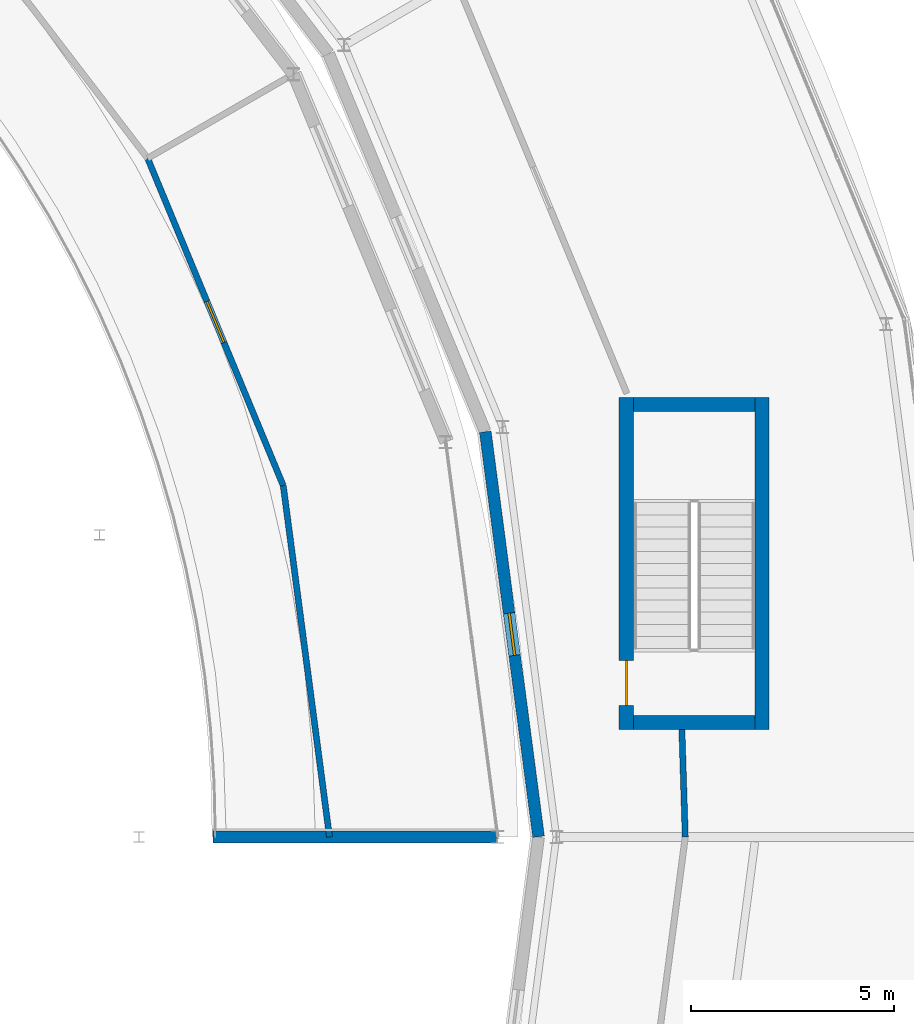
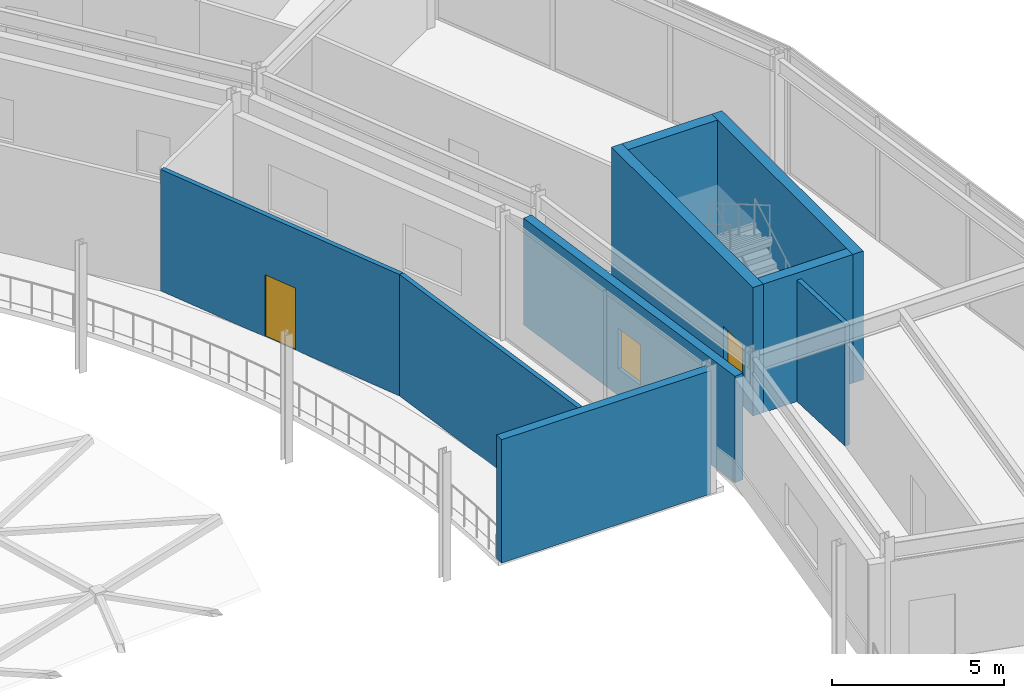
# One storey, part 83 of 116: 9 walls, 2 doors, 1 window, 3 openings.
"""IFC4 building model written with IfcOpenShell, lengths in metres."""

from ifc_helpers import new_model, si_unit, direction, frame, frame_2d, origin, place, context, subcontext, project, spatial, rectangle, extrude, material, layer, layer_set, type_object, element, fill, save


model = new_model("IFC4")

# Units and contexts
model_context = context("Model", 3, precision=1e-05, world=origin(), true_north=direction((0.0, 1.0)))
body_context = subcontext(model_context, "Body", "Model", "MODEL_VIEW")
ifc_project = project(units=[si_unit("LENGTHUNIT", "METRE"), si_unit("AREAUNIT", "SQUARE_METRE"), si_unit("VOLUMEUNIT", "CUBIC_METRE"), si_unit("PLANEANGLEUNIT", "RADIAN"), si_unit("MASSUNIT", "GRAM", prefix="KILO")], contexts=[model_context])

# Site, building, storey
site_placement = place(None, origin())
site = spatial("IfcSite", under=ifc_project, at=site_placement, CompositionType="ELEMENT")
building_placement = place(site_placement, origin())
building = spatial("IfcBuilding", under=site, at=building_placement, Name="Almandine Court Research Institute", CompositionType="ELEMENT")
storey_placement = place(building_placement, frame((0.0, 0.0, 14.35009765625)))
storey = spatial("IfcBuildingStorey", under=building, at=storey_placement, Name="L03", CompositionType="ELEMENT", Elevation=14.35009765625)

# Wall, opening, window
ifc_material_1 = material(Name="Insulated Ochre Terracotta Rainscreen Wall", Category="masonry")
ifc_layer_1 = layer(ifc_material_1, 0.2900390625)
ifc_layer_set_1 = layer_set([ifc_layer_1], Name="Insulated Ochre Terracotta Rainscreen Wall")
wall_type_1 = type_object("IfcWallType", Name="Wall-EXT-TERR-290", PredefinedType="SOLIDWALL", material=ifc_layer_set_1)
wall_1_placement = place(storey_placement, frame((125.658935546875, 56.006103515625, 0.0), z_axis=(0.0, 0.0, 1.0), x_axis=(-0.130450126879, 0.991454872597, 0.0)))
wall_1 = element("IfcWall", 1, at=wall_1_placement, inside=storey, type_object=wall_type_1, Name="L03 Drum Inner Gallery Wall 00", PredefinedType="SOLIDWALL", context=body_context, shape_type="SweptSolid", body=[
    extrude(rectangle(XDim=10.080078125, YDim=0.2900390625, at=frame_2d((5.0400390625, 0.0))), origin(), (0.0, 0.0, 1.0), 3.768798828125),
])
opening_1_placement = place(wall_1_placement, frame((4.514892578125, 0.0, 0.949951171875)))
opening_1 = element("IfcOpeningElement", 2, at=opening_1_placement, cuts=wall_1, Name="Opening WN-113", PredefinedType="OPENING", context=body_context, shape_type="SweptSolid", body=[
    extrude(rectangle(XDim=1.050048828125, YDim=1.429931640625, at=frame_2d((0.52490234375, 0.71484375))), frame((0.0, 0.155029296875, 0.0), z_axis=(0.0, -1.0, 0.0), x_axis=(1.0, 0.0, 0.0)), (0.0, 0.0, 1.0), 0.31005859375),
])
ifc_material_2 = material(Name="Thermally Broken Low-E Double-Glazed Window", Category="glass")
window_type = type_object("IfcWindowType", Name="Win-WN-113-1050x1430", PartitioningType="SINGLE_PANEL", PredefinedType="WINDOW", material=ifc_material_2)
window_placement = place(opening_1_placement, origin())
window = element("IfcWindow", 3, at=window_placement, inside=storey, type_object=window_type, Name="L03 Modular Recessed Low-E Window 277", OverallHeight=1.429931640625, OverallWidth=1.050048828125, PartitioningType="SINGLE_PANEL", PredefinedType="WINDOW", context=body_context, shape_type="SweptSolid", body=[
    extrude(rectangle(XDim=1.050048828125, YDim=1.429931640625, at=frame_2d((0.52490234375, 0.71484375))), frame((0.0, 0.030029296875, 0.0), z_axis=(0.0, -1.0, 0.0), x_axis=(1.0, 0.0, 0.0)), (0.0, 0.0, 1.0), 0.06005859375),
])
fill(opening_1, window)

# Walls
wall_2_placement = place(storey_placement, frame((117.6240234375, 56.0, 0.0), z_axis=(0.0, 0.0, 1.0), x_axis=(1.0, 0.0, 0.0)))
element("IfcWall", 4, at=wall_2_placement, inside=storey, type_object=wall_type_1, Name="L03 Atrium Gallery End Wall START", PredefinedType="SOLIDWALL", context=body_context, shape_type="SweptSolid", body=[
    extrude(rectangle(XDim=7.001953125, YDim=0.2900390625, at=frame_2d((3.5009765625, 0.0))), origin(), (0.0, 0.0, 1.0), 4.369873046875),
])
ifc_material_3 = material(Name="Acoustic Steel-Stud Gypsum Partition Wall", Category="steel")
ifc_layer_2 = layer(ifc_material_3, 0.14990234375)
ifc_layer_set_2 = layer_set([ifc_layer_2], Name="Acoustic Steel-Stud Gypsum Partition Wall")
wall_type_2 = type_object("IfcWallType", Name="Wall-PART-150", PredefinedType="PARTITIONING", material=ifc_layer_set_2)
wall_3_placement = place(storey_placement, frame((129.280029296875, 56.0, 0.0), z_axis=(0.0, 0.0, 1.0), x_axis=(-0.031249099163, 0.999511627647, 0.0)))
element("IfcWall", 5, at=wall_3_placement, inside=storey, type_object=wall_type_2, Name="L03 Interior Partition W-V5-L03-CHD-00", PredefinedType="PARTITIONING", context=body_context, shape_type="SweptSolid", body=[
    extrude(rectangle(XDim=2.65625, YDim=0.14990234375, at=frame_2d((1.328125, 0.0))), origin(), (0.0, 0.0, 1.0), 4.2998046875),
])
wall_4_placement = place(storey_placement, frame((120.5, 56.0, 0.0), z_axis=(0.0, 0.0, 1.0), x_axis=(-0.130492066853, 0.991449353466, 0.0)))
element("IfcWall", 6, at=wall_4_placement, inside=storey, type_object=wall_type_2, Name="L03 Interior Partition W-V2-L03-CHD-00", PredefinedType="PARTITIONING", context=body_context, shape_type="SweptSolid", body=[
    extrude(rectangle(XDim=8.74462890625, YDim=0.14990234375, at=frame_2d((4.372314453125, 0.0))), origin(), (0.0, 0.0, 1.0), 4.2998046875),
])

# Wall, opening, door
wall_5_placement = place(storey_placement, frame((119.35888671875, 64.669921875, 0.0), z_axis=(0.0, 0.0, 1.0), x_axis=(-0.382687910403, 0.923877677635, 0.0)))
wall_5 = element("IfcWall", 7, at=wall_5_placement, inside=storey, type_object=wall_type_2, Name="L03 Interior Partition W-V2-L03-CHD-01", PredefinedType="PARTITIONING", context=body_context, shape_type="SweptSolid", body=[
    extrude(rectangle(XDim=8.745849609375, YDim=0.14990234375, at=frame_2d((4.373046875, 0.0))), origin(), (0.0, 0.0, 1.0), 4.2998046875),
])
opening_2_placement = place(wall_5_placement, frame((3.822998046875, 0.0, 0.0)))
opening_2 = element("IfcOpeningElement", 8, at=opening_2_placement, cuts=wall_5, Name="Opening D-03", PredefinedType="OPENING", context=body_context, shape_type="SweptSolid", body=[
    extrude(rectangle(XDim=1.10009765625, YDim=2.199951171875, at=frame_2d((0.550048828125, 1.10009765625))), frame((0.0, 0.0849609375, 0.0), z_axis=(0.0, -1.0, 0.0), x_axis=(1.0, 0.0, 0.0)), (0.0, 0.0, 1.0), 0.169921875),
])
ifc_material_4 = material(Name="Acoustic Vision-Panel Seminar Door")
door_type_1 = type_object("IfcDoorType", Name="Door-INT-1100", OperationType="NOTDEFINED", PredefinedType="DOOR", material=ifc_material_4)
door_1_placement = place(opening_2_placement, origin())
door_1 = element("IfcDoor", 9, at=door_1_placement, inside=storey, type_object=door_type_1, Name="L03 Atrium Collaboration Gallery Door", OperationType="SINGLE_SWING_RIGHT", OverallHeight=2.199951171875, OverallWidth=1.10009765625, PredefinedType="DOOR", context=body_context, shape_type="SweptSolid", body=[
    extrude(rectangle(XDim=1.10009765625, YDim=2.199951171875, at=frame_2d((0.550048828125, 1.10009765625))), frame((0.0, 0.02490234375, 0.0), z_axis=(0.0, -1.0, 0.0), x_axis=(1.0, 0.0, 0.0)), (0.0, 0.0, 1.0), 0.050048828125),
])
fill(opening_2, door_1)

ifc_material_5 = material(Name="Concrete C40/50", Category="concrete")
ifc_layer_3 = layer(ifc_material_5, 0.35009765625)
ifc_layer_set_3 = layer_set([ifc_layer_3], Name="Concrete C40/50")
wall_type_3 = type_object("IfcWallType", Name="Wall-SW-CORE-350", PredefinedType="SHEAR", material=ifc_layer_set_3)
wall_6_placement = place(storey_placement, frame((127.824951171875, 58.64990234375, 0.0), z_axis=(0.0, 0.0, 1.0), x_axis=(0.0, 1.0, 0.0)))
wall_6 = element("IfcWall", 10, at=wall_6_placement, inside=storey, type_object=wall_type_3, Name="L03 ST-14 W Shear Wall", PredefinedType="SHEAR", context=body_context, shape_type="SweptSolid", body=[
    extrude(rectangle(XDim=8.2001953125, YDim=0.35009765625, at=frame_2d((4.10009765625, 0.0))), origin(), (0.0, 0.0, 1.0), 4.5498046875),
])
opening_3_placement = place(wall_6_placement, frame((0.60009765625, 0.0, 0.0)))
opening_3 = element("IfcOpeningElement", 11, at=opening_3_placement, cuts=wall_6, Name="Opening FD-STAIR", PredefinedType="OPENING", context=body_context, shape_type="SweptSolid", body=[
    extrude(rectangle(XDim=1.10009765625, YDim=2.14990234375, at=frame_2d((0.550048828125, 1.074951171875))), frame((0.0, 0.18505859375, 0.0), z_axis=(0.0, -1.0, 0.0), x_axis=(1.0, 0.0, 0.0)), (0.0, 0.0, 1.0), 0.3701171875),
])
ifc_material_6 = material(Name="Self-Closing Steel Exit Stair Fire Door", Category="steel")
door_type_2 = type_object("IfcDoorType", Name="Door-FD-STAIR-1100", OperationType="NOTDEFINED", PredefinedType="DOOR", material=ifc_material_6)
door_2_placement = place(opening_3_placement, origin())
door_2 = element("IfcDoor", 12, at=door_2_placement, inside=storey, type_object=door_type_2, Name="L03 Exit Stair ST-14 Fire Door", OperationType="SINGLE_SWING_LEFT", OverallHeight=2.14990234375, OverallWidth=1.10009765625, PredefinedType="DOOR", context=body_context, shape_type="SweptSolid", body=[
    extrude(rectangle(XDim=1.10009765625, YDim=2.14990234375, at=frame_2d((0.550048828125, 1.074951171875))), frame((0.0, 0.02490234375, 0.0), z_axis=(0.0, -1.0, 0.0), x_axis=(1.0, 0.0, 0.0)), (0.0, 0.0, 1.0), 0.050048828125),
])
fill(opening_3, door_2)

# Walls
wall_7_placement = place(storey_placement, frame((128.0, 66.675048828125, 0.0), z_axis=(0.0, 0.0, 1.0), x_axis=(1.0, 0.0, 0.0)))
element("IfcWall", 13, at=wall_7_placement, inside=storey, type_object=wall_type_3, Name="L03 ST-14 N Shear Wall", PredefinedType="SHEAR", context=body_context, shape_type="SweptSolid", body=[
    extrude(rectangle(XDim=3.0, YDim=0.35009765625, at=frame_2d((1.5, 0.0))), origin(), (0.0, 0.0, 1.0), 4.5498046875),
])
wall_8_placement = place(storey_placement, frame((131.175048828125, 66.85009765625, 0.0), z_axis=(0.0, 0.0, 1.0), x_axis=(0.0, -1.0, 0.0)))
element("IfcWall", 14, at=wall_8_placement, inside=storey, type_object=wall_type_3, Name="L03 ST-14 E Shear Wall", PredefinedType="SHEAR", context=body_context, shape_type="SweptSolid", body=[
    extrude(rectangle(XDim=8.2001953125, YDim=0.35009765625, at=frame_2d((4.10009765625, 0.0))), origin(), (0.0, 0.0, 1.0), 4.5498046875),
])
wall_9_placement = place(storey_placement, frame((131.0, 58.824951171875, 0.0), z_axis=(0.0, 0.0, 1.0), x_axis=(-1.0, 0.0, 0.0)))
element("IfcWall", 15, at=wall_9_placement, inside=storey, type_object=wall_type_3, Name="L03 ST-14 S Shear Wall", PredefinedType="SHEAR", context=body_context, shape_type="SweptSolid", body=[
    extrude(rectangle(XDim=3.0, YDim=0.35009765625, at=frame_2d((1.5, 0.0))), origin(), (0.0, 0.0, 1.0), 4.5498046875),
])

save(model, "model.ifc")
